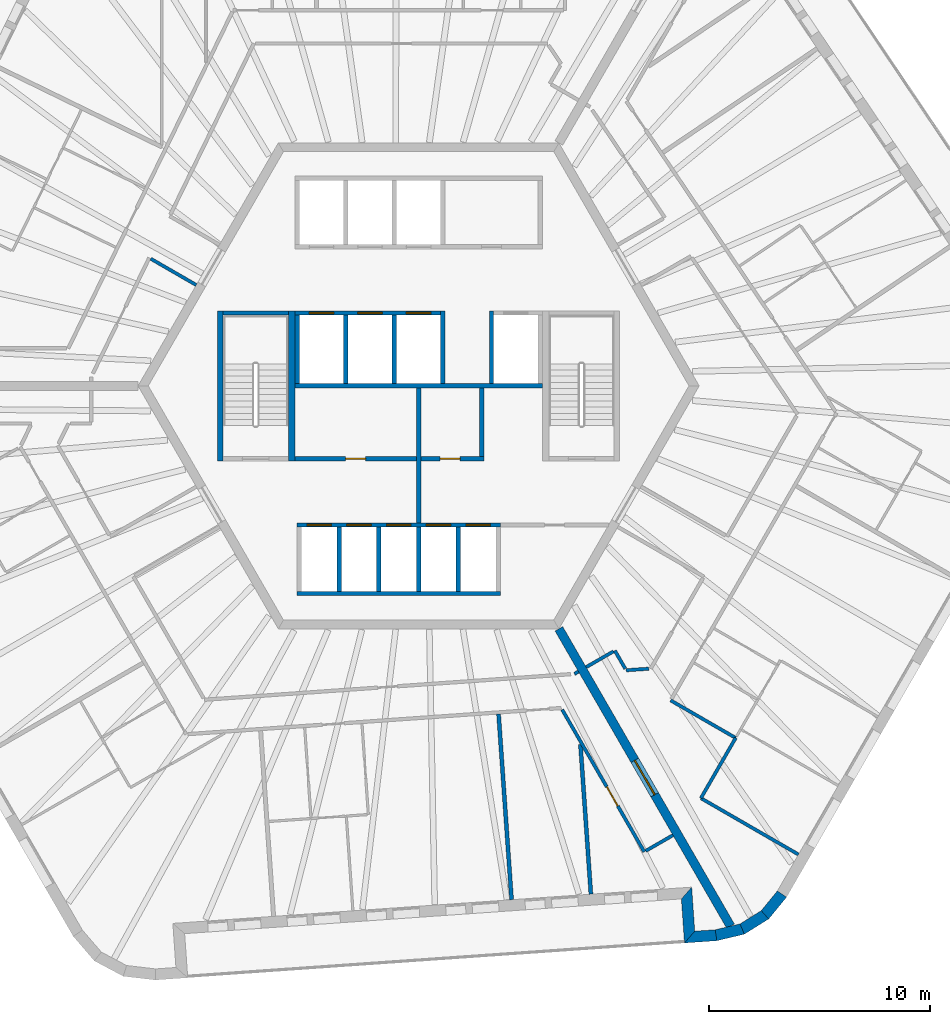
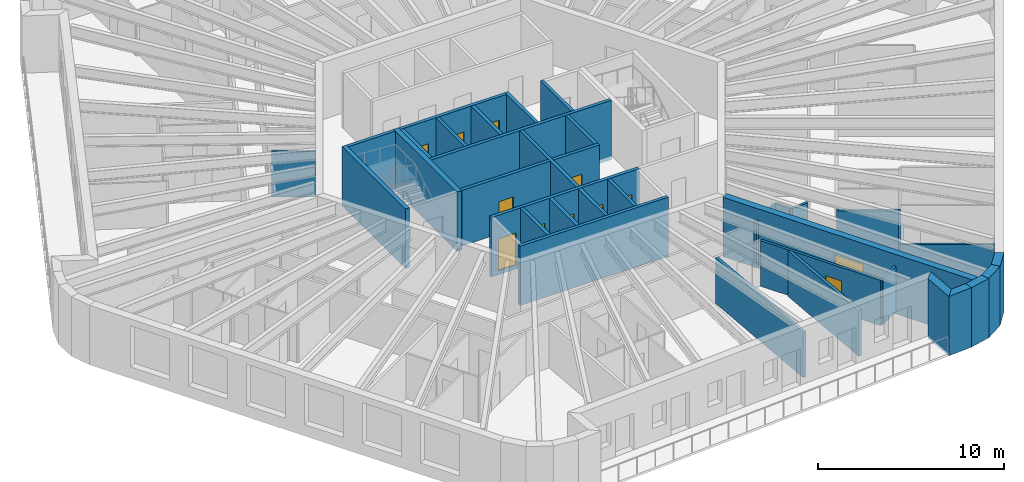
# One storey, part 5 of 12: 38 walls, 12 doors, 12 openings.
"""IFC4 building model written with IfcOpenShell, lengths in metres."""

from ifc_helpers import new_model, si_unit, direction, frame, frame_2d, origin, place, context, subcontext, project, spatial, polyline, rectangle, outline, extrude, material, layer, layer_set, type_object, element, fill, save


model = new_model("IFC4")

# Units and contexts
model_context = context("Model", 3, precision=1e-05, world=origin(), true_north=direction((0.0, 1.0)))
body_context = subcontext(model_context, "Body", "Model", "MODEL_VIEW")
ifc_project = project(units=[si_unit("LENGTHUNIT", "METRE"), si_unit("AREAUNIT", "SQUARE_METRE"), si_unit("VOLUMEUNIT", "CUBIC_METRE"), si_unit("PLANEANGLEUNIT", "RADIAN"), si_unit("MASSUNIT", "GRAM", prefix="KILO")], contexts=[model_context])

# Site, building, storey
site_placement = place(None, origin())
site = spatial("IfcSite", under=ifc_project, at=site_placement, CompositionType="ELEMENT")
building_placement = place(site_placement, origin())
building = spatial("IfcBuilding", under=site, at=building_placement, Name="Tarnside Tower", CompositionType="ELEMENT")
storey_placement = place(building_placement, frame((0.0, 0.0, 310.800048828125)))
storey = spatial("IfcBuildingStorey", under=building, at=storey_placement, Name="L75", CompositionType="ELEMENT", Elevation=310.800048828125)

# Wall, opening, door
ifc_material_1 = material(Name="Concrete C40/50", Category="concrete")
ifc_layer_1 = layer(ifc_material_1, 0.199951171875)
ifc_layer_set_1 = layer_set([ifc_layer_1], Name="Core room partition 200 C40/50")
wall_type_1 = type_object("IfcWallType", Name="Core room partition 200 C40/50", PredefinedType="PARTITIONING", material=ifc_layer_set_1)
wall_1_placement = place(storey_placement, frame((-5.60009765625, -3.300048828125, 0.0), z_axis=(0.0, 0.0, 1.0), x_axis=(1.0, 0.0, 0.0)))
wall_1 = element("IfcWall", 1, at=wall_1_placement, inside=storey, type_object=wall_type_1, Name="L75 core partition W3", PredefinedType="PARTITIONING", context=body_context, shape_type="SweptSolid", body=[
    extrude(rectangle(XDim=5.5, YDim=0.199951171875, at=frame_2d((2.75, 0.0))), origin(), (0.0, 0.0, 1.0), 3.64990234375),
])
opening_1_placement = place(wall_1_placement, frame((2.300048828125, 0.0, 0.0)))
opening_1 = element("IfcOpeningElement", 2, at=opening_1_placement, cuts=wall_1, Name="Opening CD-room", PredefinedType="OPENING", context=body_context, shape_type="SweptSolid", body=[
    extrude(rectangle(XDim=0.89990234375, YDim=2.10009765625, at=frame_2d((0.449951171875, 1.050048828125))), frame((0.0, 0.10986328125, 0.0), z_axis=(0.0, -1.0, 0.0), x_axis=(1.0, 0.0, 0.0)), (0.0, 0.0, 1.0), 0.219970703125),
])
ifc_material_2 = material(Name="Steel fire door", Category="steel")
door_type_1 = type_object("IfcDoorType", Name="Room door FD60 900x2100", OperationType="NOTDEFINED", PredefinedType="DOOR", material=ifc_material_2)
door_1_placement = place(opening_1_placement, origin())
door_1 = element("IfcDoor", 3, at=door_1_placement, inside=storey, type_object=door_type_1, Name="L75 core room door W3D", OperationType="SINGLE_SWING_LEFT", OverallHeight=2.10009765625, OverallWidth=0.89990234375, PredefinedType="DOOR", context=body_context, shape_type="SweptSolid", body=[
    extrude(rectangle(XDim=0.89990234375, YDim=2.10009765625, at=frame_2d((0.449951171875, 1.050048828125))), frame((0.0, 0.02490234375, 0.0), z_axis=(0.0, -1.0, 0.0), x_axis=(1.0, 0.0, 0.0)), (0.0, 0.0, 1.0), 0.050048828125),
])
fill(opening_1, door_1)

wall_2_placement = place(storey_placement, frame((0.10009765625, -3.300048828125, 0.0), z_axis=(0.0, 0.0, 1.0), x_axis=(1.0, 0.0, 0.0)))
wall_2 = element("IfcWall", 4, at=wall_2_placement, inside=storey, type_object=wall_type_1, Name="L75 core partition R3S1", PredefinedType="PARTITIONING", context=body_context, shape_type="SweptSolid", body=[
    extrude(rectangle(XDim=2.849853515625, YDim=0.199951171875, at=frame_2d((1.4248046875, 0.0))), origin(), (0.0, 0.0, 1.0), 3.64990234375),
])
opening_2_placement = place(wall_2_placement, frame((0.875, 0.0, 0.0)))
opening_2 = element("IfcOpeningElement", 5, at=opening_2_placement, cuts=wall_2, Name="Opening CD-room", PredefinedType="OPENING", context=body_context, shape_type="SweptSolid", body=[
    extrude(rectangle(XDim=0.89990234375, YDim=2.10009765625, at=frame_2d((0.449951171875, 1.050048828125))), frame((0.0, 0.10986328125, 0.0), z_axis=(0.0, -1.0, 0.0), x_axis=(1.0, 0.0, 0.0)), (0.0, 0.0, 1.0), 0.219970703125),
])
door_2_placement = place(opening_2_placement, origin())
door_2 = element("IfcDoor", 6, at=door_2_placement, inside=storey, type_object=door_type_1, Name="L75 core room door SR1", OperationType="SINGLE_SWING_LEFT", OverallHeight=2.10009765625, OverallWidth=0.89990234375, PredefinedType="DOOR", context=body_context, shape_type="SweptSolid", body=[
    extrude(rectangle(XDim=0.89990234375, YDim=2.10009765625, at=frame_2d((0.449951171875, 1.050048828125))), frame((0.0, 0.02490234375, 0.0), z_axis=(0.0, -1.0, 0.0), x_axis=(1.0, 0.0, 0.0)), (0.0, 0.0, 1.0), 0.050048828125),
])
fill(opening_2, door_2)

# Walls
wall_3_placement = place(storey_placement, frame((2.85009765625, -3.199951171875, 0.0), z_axis=(0.0, 0.0, 1.0), x_axis=(0.0, 1.0, 0.0)))
element("IfcWall", 7, at=wall_3_placement, inside=storey, type_object=wall_type_1, Name="L75 core partition R3P1b", PredefinedType="PARTITIONING", context=body_context, shape_type="SweptSolid", body=[
    extrude(rectangle(XDim=3.099853515625, YDim=0.199951171875, at=frame_2d((1.5498046875, 0.0))), origin(), (0.0, 0.0, 1.0), 3.64990234375),
])
wall_4_placement = place(storey_placement, frame((0.0, -6.199951171875, 0.0), z_axis=(0.0, 0.0, 1.0), x_axis=(0.0, 1.0, 0.0)))
element("IfcWall", 8, at=wall_4_placement, inside=storey, type_object=wall_type_1, Name="L75 core partition X0", PredefinedType="PARTITIONING", context=body_context, shape_type="SweptSolid", body=[
    extrude(rectangle(XDim=6.099853515625, YDim=0.199951171875, at=frame_2d((3.0498046875, 0.0))), origin(), (0.0, 0.0, 1.0), 3.64990234375),
])

# Wall, opening, door
ifc_material_3 = material(Name="Concrete C60/75", Category="concrete")
ifc_layer_2 = layer(ifc_material_3, 0.39990234375)
ifc_layer_set_2 = layer_set([ifc_layer_2], Name="Core wall Z3 400 C60/75")
wall_type_2 = type_object("IfcWallType", Name="Core wall Z3 400 C60/75", PredefinedType="SHEAR", material=ifc_layer_set_2)
wall_5_placement = place(storey_placement, frame((6.350830078125, -11.0, -0.150146484375), z_axis=(0.0, 0.0, 1.0), x_axis=(0.499998894578, -0.866026041999, 0.0)))
wall_5 = element("IfcWall", 9, at=wall_5_placement, inside=storey, type_object=wall_type_2, Name="L75 spine wall 3", PredefinedType="SHEAR", context=body_context, shape_type="SweptSolid", body=[
    extrude(rectangle(XDim=15.54443359375, YDim=0.39990234375, at=frame_2d((7.772216796875, 0.0))), origin(), (0.0, 0.0, 1.0), 3.900146484375),
])
opening_3_placement = place(wall_5_placement, frame((6.872314453125, 0.0, 0.14990234375)))
opening_3 = element("IfcOpeningElement", 10, at=opening_3_placement, cuts=wall_5, Name="Opening CD-SPN", PredefinedType="OPENING", context=body_context, shape_type="SweptSolid", body=[
    extrude(rectangle(XDim=1.800048828125, YDim=2.39990234375, at=frame_2d((0.89990234375, 1.199951171875))), frame((0.0, 0.2099609375, 0.0), z_axis=(0.0, -1.0, 0.0), x_axis=(1.0, 0.0, 0.0)), (0.0, 0.0, 1.0), 0.419921875),
])
door_type_2 = type_object("IfcDoorType", Name="Spine passage double door FD60 1800x2400", OperationType="NOTDEFINED", PredefinedType="DOOR", material=ifc_material_2)
door_3_placement = place(opening_3_placement, origin())
door_3 = element("IfcDoor", 11, at=door_3_placement, inside=storey, type_object=door_type_2, Name="L75 spine passage door 3", OperationType="DOUBLE_DOOR_SINGLE_SWING", OverallHeight=2.39990234375, OverallWidth=1.800048828125, PredefinedType="DOOR", context=body_context, shape_type="SweptSolid", body=[
    extrude(rectangle(XDim=1.800048828125, YDim=2.39990234375, at=frame_2d((0.89990234375, 1.199951171875))), frame((0.0, 0.02490234375, 0.0), z_axis=(0.0, -1.0, 0.0), x_axis=(1.0, 0.0, 0.0)), (0.0, 0.0, 1.0), 0.050048828125),
])
fill(opening_3, door_3)

# Wall
ifc_material_4 = material(Name="Gypsum board partition on steel studs", Category="steel")
ifc_layer_3 = layer(ifc_material_4, 0.14990234375)
ifc_layer_set_3 = layer_set([ifc_layer_3], Name="Corridor wall 150 EI 60")
wall_type_3 = type_object("IfcWallType", Name="Corridor wall 150 EI 60", PredefinedType="PARTITIONING", material=ifc_layer_set_3)
wall_6_placement = place(storey_placement, frame((-12.12890625, 5.7568359375, 0.0), z_axis=(0.0, 0.0, 1.0), x_axis=(0.866033707122, -0.499985617921, 0.0)))
element("IfcWall", 12, at=wall_6_placement, inside=storey, type_object=wall_type_3, Name="Corridor wall 24025", PredefinedType="PARTITIONING", context=body_context, shape_type="SweptSolid", body=[
    extrude(rectangle(XDim=2.38232421875, YDim=0.14990234375, at=frame_2d((1.191162109375, 0.0))), origin(), (0.0, 0.0, 1.0), 2.98779296875),
])

# Wall, opening, door
wall_7_placement = place(storey_placement, frame((6.49951171875, -14.6572265625, 0.0), z_axis=(0.0, 0.0, 1.0), x_axis=(0.499966098742, -0.8660449758, 0.0)))
wall_7 = element("IfcWall", 13, at=wall_7_placement, inside=storey, type_object=wall_type_3, Name="Corridor wall 24042", PredefinedType="PARTITIONING", context=body_context, shape_type="SweptSolid", body=[
    extrude(rectangle(XDim=7.4306640625, YDim=0.14990234375, at=frame_2d((3.71533203125, 0.0))), origin(), (0.0, 0.0, 1.0), 2.98779296875),
])
opening_4_placement = place(wall_7_placement, frame((4.02978515625, 0.0, 0.0)))
opening_4 = element("IfcOpeningElement", 14, at=opening_4_placement, cuts=wall_7, Name="Opening D-E1", PredefinedType="OPENING", context=body_context, shape_type="SweptSolid", body=[
    extrude(rectangle(XDim=1.0, YDim=2.10009765625, at=frame_2d((0.5, 1.050048828125))), frame((0.0, 0.0849609375, 0.0), z_axis=(0.0, -1.0, 0.0), x_axis=(1.0, 0.0, 0.0)), (0.0, 0.0, 1.0), 0.169921875),
])
ifc_material_5 = material(Name="Timber door leaf", Category="wood")
door_type_3 = type_object("IfcDoorType", Name="Unit entrance door 1000 FD30S", OperationType="NOTDEFINED", PredefinedType="DOOR", material=ifc_material_5)
door_4_placement = place(opening_4_placement, origin())
door_4 = element("IfcDoor", 15, at=door_4_placement, inside=storey, type_object=door_type_3, Name="Unit door 24042", OperationType="SINGLE_SWING_RIGHT", OverallHeight=2.10009765625, OverallWidth=1.0, PredefinedType="DOOR", context=body_context, shape_type="SweptSolid", body=[
    extrude(rectangle(XDim=1.0, YDim=2.10009765625, at=frame_2d((0.5, 1.050048828125))), frame((0.0, 0.02490234375, 0.0), z_axis=(0.0, -1.0, 0.0), x_axis=(1.0, 0.0, 0.0)), (0.0, 0.0, 1.0), 0.050048828125),
])
fill(opening_4, door_4)

# Walls
wall_8_placement = place(storey_placement, frame((10.27978515625, -21.054931640625, 0.0), z_axis=(0.0, 0.0, 1.0), x_axis=(0.866020080793, 0.500009219579, 0.0)))
element("IfcWall", 16, at=wall_8_placement, inside=storey, type_object=wall_type_3, Name="Corridor wall 24044", PredefinedType="PARTITIONING", context=body_context, shape_type="SweptSolid", body=[
    extrude(rectangle(XDim=1.4248046875, YDim=0.14990234375, at=frame_2d((0.71240234375, 0.0))), origin(), (0.0, 0.0, 1.0), 2.98779296875),
])
wall_9_placement = place(storey_placement, frame((7.23681640625, -12.9345703125, 0.0), z_axis=(0.0, 0.0, 1.0), x_axis=(-0.866088799389, -0.499890179513, 0.0)))
element("IfcWall", 17, at=wall_9_placement, inside=storey, type_object=wall_type_3, Name="Corridor wall 24050", PredefinedType="PARTITIONING", context=body_context, shape_type="SweptSolid", body=[
    extrude(rectangle(XDim=0.2099609375, YDim=0.14990234375, at=frame_2d((0.10498046875, 0.0))), origin(), (0.0, 0.0, 1.0), 2.98779296875),
])
wall_10_placement = place(storey_placement, frame((14.353515625, -15.938720703125, 0.0), z_axis=(0.0, 0.0, 1.0), x_axis=(-0.866020560687, 0.500008388397, 0.0)))
element("IfcWall", 18, at=wall_10_placement, inside=storey, type_object=wall_type_3, Name="Corridor wall 24056", PredefinedType="PARTITIONING", context=body_context, shape_type="SweptSolid", body=[
    extrude(rectangle(XDim=3.39990234375, YDim=0.14990234375, at=frame_2d((1.699951171875, 0.0))), origin(), (0.0, 0.0, 1.0), 2.98779296875),
])
wall_11_placement = place(storey_placement, frame((12.780029296875, -18.66455078125, 0.0), z_axis=(0.0, 0.0, 1.0), x_axis=(0.499972881236, 0.866041060244, 0.0)))
element("IfcWall", 19, at=wall_11_placement, inside=storey, type_object=wall_type_3, Name="Corridor wall 24058", PredefinedType="PARTITIONING", context=body_context, shape_type="SweptSolid", body=[
    extrude(rectangle(XDim=3.150634765625, YDim=0.14990234375, at=frame_2d((1.5751953125, 0.0))), origin(), (0.0, 0.0, 1.0), 2.98779296875),
])
wall_12_placement = place(storey_placement, frame((17.196044921875, -21.215576171875, 0.0), z_axis=(0.0, 0.0, 1.0), x_axis=(-0.866024511559, 0.500001545377, 0.0)))
element("IfcWall", 20, at=wall_12_placement, inside=storey, type_object=wall_type_3, Name="Corridor wall 24059", PredefinedType="PARTITIONING", context=body_context, shape_type="SweptSolid", body=[
    extrude(rectangle(XDim=5.0986328125, YDim=0.14990234375, at=frame_2d((2.54931640625, 0.0))), origin(), (0.0, 0.0, 1.0), 2.98779296875),
])
wall_13_placement = place(storey_placement, frame((10.418701171875, -12.804443359375, 0.0), z_axis=(0.0, 0.0, 1.0), x_axis=(-0.997558136861, -0.069840987838, 0.0)))
element("IfcWall", 21, at=wall_13_placement, inside=storey, type_object=wall_type_3, Name="Corridor wall 24077", PredefinedType="PARTITIONING", context=body_context, shape_type="SweptSolid", body=[
    extrude(rectangle(XDim=1.024169921875, YDim=0.14990234375, at=frame_2d((0.51220703125, 0.0))), origin(), (0.0, 0.0, 1.0), 2.98779296875),
])
wall_14_placement = place(storey_placement, frame((9.355224609375, -12.8037109375, 0.0), z_axis=(0.0, 0.0, 1.0), x_axis=(-0.499998034377, 0.866026538634, 0.0)))
element("IfcWall", 22, at=wall_14_placement, inside=storey, type_object=wall_type_3, Name="Corridor wall 24078", PredefinedType="PARTITIONING", context=body_context, shape_type="SweptSolid", body=[
    extrude(rectangle(XDim=0.94580078125, YDim=0.14990234375, at=frame_2d((0.472900390625, 0.0))), origin(), (0.0, 0.0, 1.0), 2.98779296875),
])
wall_15_placement = place(storey_placement, frame((8.8173828125, -12.022216796875, 0.0), z_axis=(0.0, 0.0, 1.0), x_axis=(-0.866062911188, -0.499935029643, 0.0)))
element("IfcWall", 23, at=wall_15_placement, inside=storey, type_object=wall_type_3, Name="Corridor wall 24079", PredefinedType="PARTITIONING", context=body_context, shape_type="SweptSolid", body=[
    extrude(rectangle(XDim=1.425048828125, YDim=0.14990234375, at=frame_2d((0.71240234375, 0.0))), origin(), (0.0, 0.0, 1.0), 2.98779296875),
])
ifc_layer_4 = layer(ifc_material_4, 0.179931640625)
ifc_layer_set_4 = layer_set([ifc_layer_4], Name="Demising wall 180 EI 60")
wall_type_4 = type_object("IfcWallType", Name="Demising wall 180 EI 60", PredefinedType="PARTITIONING", material=ifc_layer_set_4)
wall_16_placement = place(storey_placement, frame((4.208251953125, -23.26318359375, 0.0), z_axis=(0.0, 0.0, 1.0), x_axis=(-0.069749826803, 0.997564515037, 0.0)))
element("IfcWall", 24, at=wall_16_placement, inside=storey, type_object=wall_type_4, Name="Demising wall 24136", PredefinedType="PARTITIONING", context=body_context, shape_type="SweptSolid", body=[
    extrude(rectangle(XDim=8.425048828125, YDim=0.179931640625, at=frame_2d((4.21240234375, 0.0))), origin(), (0.0, 0.0, 1.0), 2.98779296875),
])
wall_17_placement = place(storey_placement, frame((7.799560546875, -23.011962890625, 0.0), z_axis=(0.0, 0.0, 1.0), x_axis=(-0.069757205717, 0.997563999075, 0.0)))
element("IfcWall", 25, at=wall_17_placement, inside=storey, type_object=wall_type_4, Name="Demising wall 24140", PredefinedType="PARTITIONING", context=body_context, shape_type="SweptSolid", body=[
    extrude(rectangle(XDim=6.789794921875, YDim=0.179931640625, at=frame_2d((3.39501953125, 0.0))), origin(), (0.0, 0.0, 1.0), 2.98779296875),
])

# Wall, openings, doors
ifc_layer_5 = layer(ifc_material_1, 0.199951171875)
ifc_layer_set_5 = layer_set([ifc_layer_5], Name="Lift shaft wall 200 C40/50")
wall_type_5 = type_object("IfcWallType", Name="Lift shaft wall 200 C40/50", PredefinedType="SHEAR", material=ifc_layer_set_5)
wall_18_placement = place(storey_placement, frame((-5.60009765625, 3.300048828125, -0.25), z_axis=(0.0, 0.0, 1.0), x_axis=(1.0, 0.0, 0.0)))
wall_18 = element("IfcWall", 26, at=wall_18_placement, inside=storey, type_object=wall_type_5, Name="L75 lift shaft front wall R2", PredefinedType="SHEAR", context=body_context, shape_type="SweptSolid", body=[
    extrude(rectangle(XDim=6.60009765625, YDim=0.199951171875, at=frame_2d((3.300048828125, 0.0))), origin(), (0.0, 0.0, 1.0), 3.89990234375),
])
opening_5_placement = place(wall_18_placement, frame((0.64990234375, 0.0, 0.25)))
opening_5 = element("IfcOpeningElement", 27, at=opening_5_placement, cuts=wall_18, Name="Opening LD", PredefinedType="OPENING", context=body_context, shape_type="SweptSolid", body=[
    extrude(rectangle(XDim=1.10009765625, YDim=2.10009765625, at=frame_2d((0.550048828125, 1.050048828125))), frame((0.0, 0.10986328125, 0.0), z_axis=(0.0, -1.0, 0.0), x_axis=(1.0, 0.0, 0.0)), (0.0, 0.0, 1.0), 0.219970703125),
])
opening_6_placement = place(wall_18_placement, frame((2.85009765625, 0.0, 0.25)))
opening_6 = element("IfcOpeningElement", 28, at=opening_6_placement, cuts=wall_18, Name="Opening LD", PredefinedType="OPENING", context=body_context, shape_type="SweptSolid", body=[
    extrude(rectangle(XDim=1.10009765625, YDim=2.10009765625, at=frame_2d((0.550048828125, 1.050048828125))), frame((0.0, 0.10986328125, 0.0), z_axis=(0.0, -1.0, 0.0), x_axis=(1.0, 0.0, 0.0)), (0.0, 0.0, 1.0), 0.219970703125),
])
opening_7_placement = place(wall_18_placement, frame((5.050048828125, 0.0, 0.25)))
opening_7 = element("IfcOpeningElement", 29, at=opening_7_placement, cuts=wall_18, Name="Opening LD", PredefinedType="OPENING", context=body_context, shape_type="SweptSolid", body=[
    extrude(rectangle(XDim=1.10009765625, YDim=2.10009765625, at=frame_2d((0.550048828125, 1.050048828125))), frame((0.0, 0.10986328125, 0.0), z_axis=(0.0, -1.0, 0.0), x_axis=(1.0, 0.0, 0.0)), (0.0, 0.0, 1.0), 0.219970703125),
])
ifc_material_6 = material(Name="Stainless steel", Category="steel")
door_type_4 = type_object("IfcDoorType", Name="Lift landing door 1100x2100", OperationType="NOTDEFINED", PredefinedType="DOOR", material=ifc_material_6)
door_5_placement = place(opening_5_placement, origin())
door_5 = element("IfcDoor", 30, at=door_5_placement, inside=storey, type_object=door_type_4, Name="High-rise lift 4 landing door L75", OperationType="SLIDING_TO_LEFT", OverallHeight=2.10009765625, OverallWidth=1.10009765625, PredefinedType="DOOR", context=body_context, shape_type="SweptSolid", body=[
    extrude(rectangle(XDim=1.10009765625, YDim=2.10009765625, at=frame_2d((0.550048828125, 1.050048828125))), frame((0.0, 0.02490234375, 0.0), z_axis=(0.0, -1.0, 0.0), x_axis=(1.0, 0.0, 0.0)), (0.0, 0.0, 1.0), 0.050048828125),
])
fill(opening_5, door_5)
door_6_placement = place(opening_6_placement, origin())
door_6 = element("IfcDoor", 31, at=door_6_placement, inside=storey, type_object=door_type_4, Name="High-rise lift 5 landing door L75", OperationType="SLIDING_TO_LEFT", OverallHeight=2.10009765625, OverallWidth=1.10009765625, PredefinedType="DOOR", context=body_context, shape_type="SweptSolid", body=[
    extrude(rectangle(XDim=1.10009765625, YDim=2.10009765625, at=frame_2d((0.550048828125, 1.050048828125))), frame((0.0, 0.02490234375, 0.0), z_axis=(0.0, -1.0, 0.0), x_axis=(1.0, 0.0, 0.0)), (0.0, 0.0, 1.0), 0.050048828125),
])
fill(opening_6, door_6)
door_7_placement = place(opening_7_placement, origin())
door_7 = element("IfcDoor", 32, at=door_7_placement, inside=storey, type_object=door_type_4, Name="High-rise lift 6 landing door L75", OperationType="SLIDING_TO_LEFT", OverallHeight=2.10009765625, OverallWidth=1.10009765625, PredefinedType="DOOR", context=body_context, shape_type="SweptSolid", body=[
    extrude(rectangle(XDim=1.10009765625, YDim=2.10009765625, at=frame_2d((0.550048828125, 1.050048828125))), frame((0.0, 0.02490234375, 0.0), z_axis=(0.0, -1.0, 0.0), x_axis=(1.0, 0.0, 0.0)), (0.0, 0.0, 1.0), 0.050048828125),
])
fill(opening_7, door_7)

# Walls
wall_19_placement = place(storey_placement, frame((-5.60009765625, 0.0, -0.25), z_axis=(0.0, 0.0, 1.0), x_axis=(1.0, 0.0, 0.0)))
element("IfcWall", 33, at=wall_19_placement, inside=storey, type_object=wall_type_5, Name="L75 lift shaft back wall R2", PredefinedType="SHEAR", context=body_context, shape_type="SweptSolid", body=[
    extrude(rectangle(XDim=11.2001953125, YDim=0.199951171875, at=frame_2d((5.60009765625, 0.0))), origin(), (0.0, 0.0, 1.0), 3.89990234375),
])
for number, where, z_axis, x_axis, name in (
    (34, (-5.5, 0.10009765625, -0.25), (0.0, 0.0, 1.0), (0.0, 1.0, 0.0), "L75 lift shaft partition R21"),
    (35, (-3.300048828125, 0.10009765625, -0.25), (0.0, 0.0, 1.0), (0.0, 1.0, 0.0), "L75 lift shaft partition R22"),
    (36, (-1.10009765625, 0.10009765625, -0.25), (0.0, 0.0, 1.0), (0.0, 1.0, 0.0), "L75 lift shaft partition R23"),
):
    element("IfcWall", number, at=place(storey_placement, frame(where, z_axis=z_axis, x_axis=x_axis)), inside=storey, type_object=wall_type_5, Name=name, PredefinedType="SHEAR", context=body_context, shape_type="SweptSolid", body=[
        extrude(rectangle(XDim=3.099853515625, YDim=0.199951171875, at=frame_2d((1.5498046875, 0.0))), origin(), (0.0, 0.0, 1.0), 3.89990234375),
    ])
for number, where, z_axis, x_axis, name in (
    (37, (1.10009765625, 0.10009765625, -0.25), (0.0, 0.0, 1.0), (0.0, 1.0, 0.0), "L75 lift shaft partition R24"),
    (38, (3.300048828125, 0.10009765625, -0.25), (0.0, 0.0, 1.0), (0.0, 1.0, 0.0), "L75 lift shaft partition R25"),
):
    element("IfcWall", number, at=place(storey_placement, frame(where, z_axis=z_axis, x_axis=x_axis)), inside=storey, type_object=wall_type_5, Name=name, PredefinedType="SHEAR", context=body_context, shape_type="SweptSolid", body=[
        extrude(rectangle(XDim=3.2998046875, YDim=0.199951171875, at=frame_2d((1.64990234375, 0.0))), origin(), (0.0, 0.0, 1.0), 3.89990234375),
    ])

# Wall, openings, doors
wall_20_placement = place(storey_placement, frame((-5.5, -6.300048828125, -0.25), z_axis=(0.0, 0.0, 1.0), x_axis=(1.0, 0.0, 0.0)))
wall_20 = element("IfcWall", 39, at=wall_20_placement, inside=storey, type_object=wall_type_5, Name="L75 lift shaft front wall R4", PredefinedType="SHEAR", context=body_context, shape_type="SweptSolid", body=[
    extrude(rectangle(XDim=9.199951171875, YDim=0.199951171875, at=frame_2d((4.60009765625, 0.0))), origin(), (0.0, 0.0, 1.0), 3.89990234375),
])
opening_8_placement = place(wall_20_placement, frame((0.449951171875, 0.0, 0.25)))
opening_8 = element("IfcOpeningElement", 40, at=opening_8_placement, cuts=wall_20, Name="Opening LDF", PredefinedType="OPENING", context=body_context, shape_type="SweptSolid", body=[
    extrude(rectangle(XDim=1.10009765625, YDim=2.10009765625, at=frame_2d((0.550048828125, 1.050048828125))), frame((0.0, 0.10986328125, 0.0), z_axis=(0.0, -1.0, 0.0), x_axis=(1.0, 0.0, 0.0)), (0.0, 0.0, 1.0), 0.219970703125),
])
opening_9_placement = place(wall_20_placement, frame((2.25, 0.0, 0.25)))
opening_9 = element("IfcOpeningElement", 41, at=opening_9_placement, cuts=wall_20, Name="Opening LDF", PredefinedType="OPENING", context=body_context, shape_type="SweptSolid", body=[
    extrude(rectangle(XDim=1.10009765625, YDim=2.10009765625, at=frame_2d((0.550048828125, 1.050048828125))), frame((0.0, 0.10986328125, 0.0), z_axis=(0.0, -1.0, 0.0), x_axis=(1.0, 0.0, 0.0)), (0.0, 0.0, 1.0), 0.219970703125),
])
opening_10_placement = place(wall_20_placement, frame((4.050048828125, 0.0, 0.25)))
opening_10 = element("IfcOpeningElement", 42, at=opening_10_placement, cuts=wall_20, Name="Opening LDF", PredefinedType="OPENING", context=body_context, shape_type="SweptSolid", body=[
    extrude(rectangle(XDim=1.10009765625, YDim=2.10009765625, at=frame_2d((0.550048828125, 1.050048828125))), frame((0.0, 0.10986328125, 0.0), z_axis=(0.0, -1.0, 0.0), x_axis=(1.0, 0.0, 0.0)), (0.0, 0.0, 1.0), 0.219970703125),
])
opening_11_placement = place(wall_20_placement, frame((5.85009765625, 0.0, 0.25)))
opening_11 = element("IfcOpeningElement", 43, at=opening_11_placement, cuts=wall_20, Name="Opening LDF", PredefinedType="OPENING", context=body_context, shape_type="SweptSolid", body=[
    extrude(rectangle(XDim=1.10009765625, YDim=2.10009765625, at=frame_2d((0.550048828125, 1.050048828125))), frame((0.0, 0.10986328125, 0.0), z_axis=(0.0, -1.0, 0.0), x_axis=(1.0, 0.0, 0.0)), (0.0, 0.0, 1.0), 0.219970703125),
])
opening_12_placement = place(wall_20_placement, frame((7.64990234375, 0.0, 0.25)))
opening_12 = element("IfcOpeningElement", 44, at=opening_12_placement, cuts=wall_20, Name="Opening LDF", PredefinedType="OPENING", context=body_context, shape_type="SweptSolid", body=[
    extrude(rectangle(XDim=1.10009765625, YDim=2.10009765625, at=frame_2d((0.550048828125, 1.050048828125))), frame((0.0, 0.10986328125, 0.0), z_axis=(0.0, -1.0, 0.0), x_axis=(1.0, 0.0, 0.0)), (0.0, 0.0, 1.0), 0.219970703125),
])
door_type_5 = type_object("IfcDoorType", Name="Lift landing door 1100x2100 EI 120", OperationType="NOTDEFINED", PredefinedType="DOOR", material=ifc_material_6)
door_8_placement = place(opening_8_placement, origin())
door_8 = element("IfcDoor", 45, at=door_8_placement, inside=storey, type_object=door_type_5, Name="Firefighting lift 1 landing door L75", OperationType="SLIDING_TO_LEFT", OverallHeight=2.10009765625, OverallWidth=1.10009765625, PredefinedType="DOOR", context=body_context, shape_type="SweptSolid", body=[
    extrude(rectangle(XDim=1.10009765625, YDim=2.10009765625, at=frame_2d((0.550048828125, 1.050048828125))), frame((0.0, 0.02490234375, 0.0), z_axis=(0.0, -1.0, 0.0), x_axis=(1.0, 0.0, 0.0)), (0.0, 0.0, 1.0), 0.050048828125),
])
fill(opening_8, door_8)
door_9_placement = place(opening_9_placement, origin())
door_9 = element("IfcDoor", 46, at=door_9_placement, inside=storey, type_object=door_type_5, Name="Firefighting lift 2 landing door L75", OperationType="SLIDING_TO_LEFT", OverallHeight=2.10009765625, OverallWidth=1.10009765625, PredefinedType="DOOR", context=body_context, shape_type="SweptSolid", body=[
    extrude(rectangle(XDim=1.10009765625, YDim=2.10009765625, at=frame_2d((0.550048828125, 1.050048828125))), frame((0.0, 0.02490234375, 0.0), z_axis=(0.0, -1.0, 0.0), x_axis=(1.0, 0.0, 0.0)), (0.0, 0.0, 1.0), 0.050048828125),
])
fill(opening_9, door_9)
door_10_placement = place(opening_10_placement, origin())
door_10 = element("IfcDoor", 47, at=door_10_placement, inside=storey, type_object=door_type_5, Name="Firefighting lift 3 landing door L75", OperationType="SLIDING_TO_LEFT", OverallHeight=2.10009765625, OverallWidth=1.10009765625, PredefinedType="DOOR", context=body_context, shape_type="SweptSolid", body=[
    extrude(rectangle(XDim=1.10009765625, YDim=2.10009765625, at=frame_2d((0.550048828125, 1.050048828125))), frame((0.0, 0.02490234375, 0.0), z_axis=(0.0, -1.0, 0.0), x_axis=(1.0, 0.0, 0.0)), (0.0, 0.0, 1.0), 0.050048828125),
])
fill(opening_10, door_10)
door_11_placement = place(opening_11_placement, origin())
door_11 = element("IfcDoor", 48, at=door_11_placement, inside=storey, type_object=door_type_5, Name="Firefighting lift 4 landing door L75", OperationType="SLIDING_TO_LEFT", OverallHeight=2.10009765625, OverallWidth=1.10009765625, PredefinedType="DOOR", context=body_context, shape_type="SweptSolid", body=[
    extrude(rectangle(XDim=1.10009765625, YDim=2.10009765625, at=frame_2d((0.550048828125, 1.050048828125))), frame((0.0, 0.02490234375, 0.0), z_axis=(0.0, -1.0, 0.0), x_axis=(1.0, 0.0, 0.0)), (0.0, 0.0, 1.0), 0.050048828125),
])
fill(opening_11, door_11)
door_12_placement = place(opening_12_placement, origin())
door_12 = element("IfcDoor", 49, at=door_12_placement, inside=storey, type_object=door_type_5, Name="Firefighting lift 5 landing door L75", OperationType="SLIDING_TO_LEFT", OverallHeight=2.10009765625, OverallWidth=1.10009765625, PredefinedType="DOOR", context=body_context, shape_type="SweptSolid", body=[
    extrude(rectangle(XDim=1.10009765625, YDim=2.10009765625, at=frame_2d((0.550048828125, 1.050048828125))), frame((0.0, 0.02490234375, 0.0), z_axis=(0.0, -1.0, 0.0), x_axis=(1.0, 0.0, 0.0)), (0.0, 0.0, 1.0), 0.050048828125),
])
fill(opening_12, door_12)

# Walls
wall_21_placement = place(storey_placement, frame((-5.5, -9.39990234375, -0.25), z_axis=(0.0, 0.0, 1.0), x_axis=(1.0, 0.0, 0.0)))
element("IfcWall", 50, at=wall_21_placement, inside=storey, type_object=wall_type_5, Name="L75 lift shaft back wall R4", PredefinedType="SHEAR", context=body_context, shape_type="SweptSolid", body=[
    extrude(rectangle(XDim=9.199951171875, YDim=0.199951171875, at=frame_2d((4.60009765625, 0.0))), origin(), (0.0, 0.0, 1.0), 3.89990234375),
])
for number, where, z_axis, x_axis, name in (
    (51, (-3.60009765625, -9.300048828125, -0.25), (0.0, 0.0, 1.0), (0.0, 1.0, 0.0), "L75 lift shaft partition R42"),
    (52, (-1.800048828125, -9.300048828125, -0.25), (0.0, 0.0, 1.0), (0.0, 1.0, 0.0), "L75 lift shaft partition R43"),
    (53, (0.0, -9.300048828125, -0.25), (0.0, 0.0, 1.0), (0.0, 1.0, 0.0), "L75 lift shaft partition R44"),
    (54, (1.800048828125, -9.300048828125, -0.25), (0.0, 0.0, 1.0), (0.0, 1.0, 0.0), "L75 lift shaft partition R45"),
):
    element("IfcWall", number, at=place(storey_placement, frame(where, z_axis=z_axis, x_axis=x_axis)), inside=storey, type_object=wall_type_5, Name=name, PredefinedType="SHEAR", context=body_context, shape_type="SweptSolid", body=[
        extrude(rectangle(XDim=2.900146484375, YDim=0.199951171875, at=frame_2d((1.4501953125, 0.0))), origin(), (0.0, 0.0, 1.0), 3.89990234375),
    ])
wall_22_placement = place(storey_placement, frame((-8.85009765625, 3.300048828125, -0.25), z_axis=(0.0, 0.0, 1.0), x_axis=(1.0, 0.0, 0.0)))
element("IfcWall", 55, at=wall_22_placement, inside=storey, type_object=wall_type_5, Name="L75 stair 2 enclosure cap wall n", PredefinedType="SHEAR", context=body_context, shape_type="SweptSolid", body=[
    extrude(rectangle(XDim=2.9501953125, YDim=0.199951171875, at=frame_2d((1.47509765625, 0.0))), origin(), (0.0, 0.0, 1.0), 3.89990234375),
])
ifc_material_7 = material(Name="Dark zinc cladding")
ifc_layer_6 = layer(ifc_material_7, 0.10205078125)
ifc_material_8 = material(Name="Concrete C60/75 precast", Category="concrete")
ifc_layer_7 = layer(ifc_material_8, 0.298095703125)
ifc_material_9 = material(Name="Mineral wool insulation")
ifc_layer_8 = layer(ifc_material_9, 0.10009765625)
ifc_layer_set_6 = layer_set([ifc_layer_6, ifc_layer_7, ifc_layer_8], Name="Loggia wall 500 zinc faced")
wall_type_6 = type_object("IfcWallType", Name="Loggia wall 500 zinc faced", PredefinedType="SOLIDWALL", material=ifc_layer_set_6)
wall_23_placement = place(storey_placement, frame((12.128662109375, -22.9599609375, -0.150146484375), z_axis=(0.0, 0.0, 1.0), x_axis=(0.069824268692, -0.99755930726, 0.0)))
element("IfcWall", 56, at=wall_23_placement, inside=storey, type_object=wall_type_6, Name="Tube wall L75 F4 return 19", PredefinedType="SOLIDWALL", context=body_context, shape_type="SweptSolid", body=[
    extrude(outline(polyline([(0.25, -0.25), (2.25, -0.25), (1.75, 0.25), (-0.25, 0.25), (0.25, -0.25)])), origin(), (0.0, 0.0, 1.0), 3.900146484375),
])
wall_24_placement = place(storey_placement, frame((12.268310546875, -24.955078125, -0.150146484375), z_axis=(0.0, 0.0, 1.0), x_axis=(0.997561942506, 0.06978660948, 0.0)))
element("IfcWall", 57, at=wall_24_placement, inside=storey, type_object=wall_type_6, Name="Tube wall L75 F4 stub 20", PredefinedType="SOLIDWALL", context=body_context, shape_type="SweptSolid", body=[
    extrude(outline(polyline([(-0.25, -0.25), (1.220458984375, -0.25), (1.179443359375, 0.25), (0.25, 0.25), (-0.25, -0.25)])), origin(), (0.0, 0.0, 1.0), 3.900146484375),
])
ifc_layer_9 = layer(ifc_material_1, 0.25)
ifc_layer_set_7 = layer_set([ifc_layer_9], Name="Stair enclosure wall 250 C40/50")
wall_type_7 = type_object("IfcWallType", Name="Stair enclosure wall 250 C40/50", PredefinedType="SHEAR", material=ifc_layer_set_7)
wall_25_placement = place(storey_placement, frame((-8.97509765625, -3.39990234375, -0.25), z_axis=(0.0, 0.0, 1.0), x_axis=(0.0, 1.0, 0.0)))
element("IfcWall", 58, at=wall_25_placement, inside=storey, type_object=wall_type_7, Name="L75 stair 2 enclosure wall outer", PredefinedType="SHEAR", context=body_context, shape_type="SweptSolid", body=[
    extrude(rectangle(XDim=6.7998046875, YDim=0.25, at=frame_2d((3.39990234375, 0.0))), origin(), (0.0, 0.0, 1.0), 3.89990234375),
])
ifc_layer_10 = layer(ifc_material_1, 0.300048828125)
ifc_layer_set_8 = layer_set([ifc_layer_10], Name="Stair enclosure wall 300 C40/50")
wall_type_8 = type_object("IfcWallType", Name="Stair enclosure wall 300 C40/50", PredefinedType="SHEAR", material=ifc_layer_set_8)
wall_26_placement = place(storey_placement, frame((-5.75, -3.39990234375, -0.25), z_axis=(0.0, 0.0, 1.0), x_axis=(0.0, 1.0, 0.0)))
element("IfcWall", 59, at=wall_26_placement, inside=storey, type_object=wall_type_8, Name="L75 stair 2 enclosure wall inner", PredefinedType="SHEAR", context=body_context, shape_type="SweptSolid", body=[
    extrude(rectangle(XDim=6.7998046875, YDim=0.300048828125, at=frame_2d((3.39990234375, 0.0))), origin(), (0.0, 0.0, 1.0), 3.89990234375),
])
ifc_material_10 = material(Name="Facing brick", Category="masonry")
ifc_layer_11 = layer(ifc_material_10, 0.10205078125)
ifc_layer_12 = layer(ifc_material_8, 0.298095703125)
ifc_layer_13 = layer(ifc_material_9, 0.10009765625)
ifc_layer_set_9 = layer_set([ifc_layer_11, ifc_layer_12, ifc_layer_13], Name="Tube wall 500 brick faced")
wall_type_9 = type_object("IfcWallType", Name="Tube wall 500 brick faced", PredefinedType="SOLIDWALL", material=ifc_layer_set_9)
wall_27_placement = place(storey_placement, frame((13.46533203125, -24.871337890625, -0.150146484375), z_axis=(0.0, 0.0, 1.0), x_axis=(0.973044740285, 0.230616420501, 0.0)))
element("IfcWall", 60, at=wall_27_placement, inside=storey, type_object=wall_type_9, Name="Tube wall L75 F4 chord 21", PredefinedType="SOLIDWALL", context=body_context, shape_type="SweptSolid", body=[
    extrude(outline(polyline([(-0.0205078125, -0.25), (1.25732421875, -0.25), (1.17529296875, 0.25), (0.0205078125, 0.25), (-0.0205078125, -0.25)])), origin(), (0.0, 0.0, 1.0), 3.900146484375),
])
wall_28_placement = place(storey_placement, frame((14.64892578125, -24.5908203125, -0.150146484375), z_axis=(0.0, 0.0, 1.0), x_axis=(0.848054682072, 0.529908724419, 0.0)))
element("IfcWall", 61, at=wall_28_placement, inside=storey, type_object=wall_type_9, Name="Tube wall L75 F4 chord 22", PredefinedType="SOLIDWALL", context=body_context, shape_type="SweptSolid", body=[
    extrude(outline(polyline([(-0.041015625, -0.25), (1.25732421875, -0.25), (1.17529296875, 0.25), (0.041015625, 0.25), (-0.041015625, -0.25)])), origin(), (0.0, 0.0, 1.0), 3.900146484375),
])
wall_29_placement = place(storey_placement, frame((15.680419921875, -23.9462890625, -0.150146484375), z_axis=(0.0, 0.0, 1.0), x_axis=(0.633805934167, 0.773492105852, 0.0)))
element("IfcWall", 62, at=wall_29_placement, inside=storey, type_object=wall_type_9, Name="Tube wall L75 F4 chord 23", PredefinedType="SOLIDWALL", context=body_context, shape_type="SweptSolid", body=[
    extrude(outline(polyline([(-0.041015625, -0.25), (1.237060546875, -0.25), (1.196044921875, 0.25), (0.041015625, 0.25), (-0.041015625, -0.25)])), origin(), (0.0, 0.0, 1.0), 3.900146484375),
])

save(model, "model.ifc")
